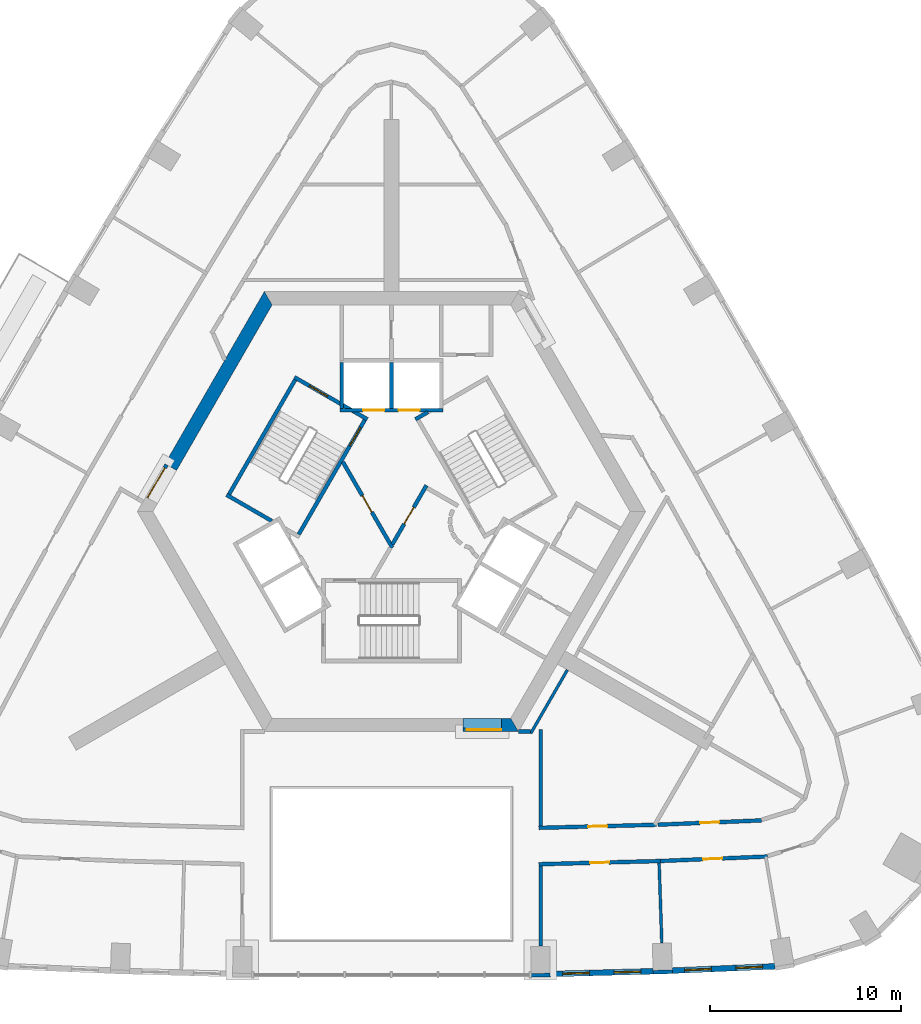
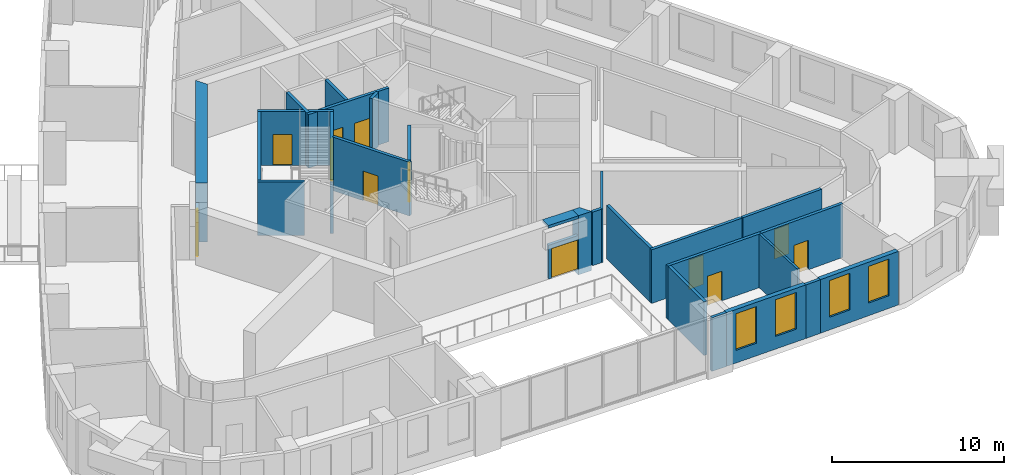
# One storey, part 5 of 13: 28 walls, 12 doors, 4 windows, 16 openings.
"""IFC4 building model written with IfcOpenShell, lengths in metres."""

from ifc_helpers import new_model, si_unit, direction, frame, frame_2d, origin, place, context, subcontext, project, spatial, polyline, rectangle, outline, extrude, material, layer, layer_set, type_object, element, fill, save


model = new_model("IFC4")

# Units and contexts
model_context = context("Model", 3, precision=1e-05, world=origin(), true_north=direction((0.0, 1.0)))
body_context = subcontext(model_context, "Body", "Model", "MODEL_VIEW")
ifc_project = project(units=[si_unit("LENGTHUNIT", "METRE"), si_unit("AREAUNIT", "SQUARE_METRE"), si_unit("VOLUMEUNIT", "CUBIC_METRE"), si_unit("PLANEANGLEUNIT", "RADIAN"), si_unit("MASSUNIT", "GRAM", prefix="KILO")], contexts=[model_context])

# Site, building, storey
site_placement = place(None, origin())
site = spatial("IfcSite", under=ifc_project, at=site_placement, CompositionType="ELEMENT")
building_placement = place(site_placement, origin())
building = spatial("IfcBuilding", under=site, at=building_placement, Name="Entoto Arch Interchange Tower", CompositionType="ELEMENT")
storey_placement = place(building_placement, frame((0.0, 0.0, 198.199951171875)))
storey = spatial("IfcBuildingStorey", under=building, at=storey_placement, Name="L44", CompositionType="ELEMENT", Elevation=198.199951171875)

# Wall, opening, door
ifc_material_1 = material(Name="Reinforced concrete C40/50", Category="concrete")
ifc_layer_1 = layer(ifc_material_1, 0.199951171875)
ifc_layer_set_1 = layer_set([ifc_layer_1], Name="Reinforced concrete C40/50")
wall_type_1 = type_object("IfcWallType", Name="CORE GAP INFILL WALL", PredefinedType="PARTITIONING", material=ifc_layer_set_1)
wall_1_placement = place(storey_placement, frame((3.75, -8.89990234375, 0.0), z_axis=(0.0, 0.0, 1.0), x_axis=(1.0, 0.0, 0.0)))
wall_1 = element("IfcWall", 1, at=wall_1_placement, inside=storey, type_object=wall_type_1, Name="wall:L44:gap1", PredefinedType="PARTITIONING", context=body_context, shape_type="SweptSolid", body=[
    extrude(rectangle(XDim=2.0, YDim=0.199951171875, at=frame_2d((1.0, 0.0))), origin(), (0.0, 0.0, 1.0), 2.400146484375),
])
opening_1_placement = place(wall_1_placement, frame((0.18994140625, 0.0, 0.0)))
opening_1 = element("IfcOpeningElement", 2, at=opening_1_placement, cuts=wall_1, Name="Opening L44-D91", PredefinedType="OPENING", context=body_context, shape_type="SweptSolid", body=[
    extrude(rectangle(XDim=1.800048828125, YDim=2.10009765625, at=frame_2d((0.89990234375, 1.050048828125))), frame((0.0, 0.10986328125, 0.0), z_axis=(0.0, -1.0, 0.0), x_axis=(1.0, 0.0, 0.0)), (0.0, 0.0, 1.0), 0.219970703125),
])
ifc_material_2 = material(Name="Fire-rated Steel S235 door and frame", Category="steel")
door_type_1 = type_object("IfcDoorType", Name="DOOR FD-18 1800x2100", OperationType="DOUBLE_DOOR_SINGLE_SWING", PredefinedType="DOOR", material=ifc_material_2)
door_1_placement = place(opening_1_placement, origin())
door_1 = element("IfcDoor", 3, at=door_1_placement, inside=storey, type_object=door_type_1, Name="door:L44:gap1", OperationType="DOUBLE_DOOR_SINGLE_SWING", OverallHeight=2.10009765625, OverallWidth=1.800048828125, PredefinedType="DOOR", context=body_context, shape_type="SweptSolid", body=[
    extrude(rectangle(XDim=1.800048828125, YDim=2.10009765625, at=frame_2d((0.89990234375, 1.050048828125))), frame((0.0, 0.02490234375, 0.0), z_axis=(0.0, -1.0, 0.0), x_axis=(1.0, 0.0, 0.0)), (0.0, 0.0, 1.0), 0.050048828125),
])
fill(opening_1, door_1)

wall_2_placement = place(storey_placement, frame((-11.7470703125, 4.951904296875, 0.0), z_axis=(0.0, 0.0, 1.0), x_axis=(-0.50002537861, -0.866010750942, 0.0)))
wall_2 = element("IfcWall", 4, at=wall_2_placement, inside=storey, type_object=wall_type_1, Name="wall:L44:gap3", PredefinedType="PARTITIONING", context=body_context, shape_type="SweptSolid", body=[
    extrude(rectangle(XDim=2.0, YDim=0.199951171875, at=frame_2d((1.0, 0.0))), origin(), (0.0, 0.0, 1.0), 2.400146484375),
])
opening_2_placement = place(wall_2_placement, frame((0.18994140625, 0.0, 0.0)))
opening_2 = element("IfcOpeningElement", 5, at=opening_2_placement, cuts=wall_2, Name="Opening L44-D93", PredefinedType="OPENING", context=body_context, shape_type="SweptSolid", body=[
    extrude(rectangle(XDim=1.800048828125, YDim=2.10009765625, at=frame_2d((0.89990234375, 1.050048828125))), frame((0.0, 0.10986328125, 0.0), z_axis=(0.0, -1.0, 0.0), x_axis=(1.0, 0.0, 0.0)), (0.0, 0.0, 1.0), 0.219970703125),
])
door_2_placement = place(opening_2_placement, origin())
door_2 = element("IfcDoor", 6, at=door_2_placement, inside=storey, type_object=door_type_1, Name="door:L44:gap3", OperationType="DOUBLE_DOOR_SINGLE_SWING", OverallHeight=2.10009765625, OverallWidth=1.800048828125, PredefinedType="DOOR", context=body_context, shape_type="SweptSolid", body=[
    extrude(rectangle(XDim=1.800048828125, YDim=2.10009765625, at=frame_2d((0.89990234375, 1.050048828125))), frame((0.0, 0.02490234375, 0.0), z_axis=(0.0, -1.0, 0.0), x_axis=(1.0, 0.0, 0.0)), (0.0, 0.0, 1.0), 0.050048828125),
])
fill(opening_2, door_2)

# Walls
ifc_material_3 = material(Name="Concrete C50/60", Category="concrete")
ifc_layer_2 = layer(ifc_material_3, 0.699951171875)
ifc_layer_set_2 = layer_set([ifc_layer_2], Name="Concrete C50/60")
wall_type_2 = type_object("IfcWallType", Name="Core wall 700 C50/60", PredefinedType="SHEAR", material=ifc_layer_set_2)
wall_3_placement = place(storey_placement, frame((0.0, 0.0, -0.39990234375)))
element("IfcWall", 7, at=wall_3_placement, inside=storey, type_object=wall_type_2, Name="Core wall NW L44", PredefinedType="SHEAR", context=body_context, shape_type="SweptSolid", body=[
    extrude(outline(polyline([(-11.833984375, 5.001953125), (-11.22802734375, 4.652099609375), (-6.235107421875, 13.300048828125), (-6.639892578125, 14.0), (-11.833984375, 5.001953125)])), origin(), (0.0, 0.0, 1.0), 4.199951171875),
])
wall_4_placement = place(storey_placement, frame((0.0, 0.0, -0.39990234375)))
element("IfcWall", 8, at=wall_4_placement, inside=storey, type_object=wall_type_2, Name="Core wall S L44", PredefinedType="SHEAR", context=body_context, shape_type="SweptSolid", body=[
    extrude(outline(polyline([(5.75, -8.300048828125), (5.75, -9.0), (6.639892578125, -9.0), (6.235107421875, -8.300048828125), (5.75, -8.300048828125)])), origin(), (0.0, 0.0, 1.0), 4.199951171875),
])
wall_5_placement = place(storey_placement, frame((0.0, 0.0, 3.60009765625)))
element("IfcWall", 9, at=wall_5_placement, inside=storey, type_object=wall_type_2, Name="Core wall lintel S L44", PredefinedType="SHEAR", context=body_context, shape_type="SweptSolid", body=[
    extrude(outline(polyline([(5.75, -9.0), (5.75, -8.300048828125), (3.75, -8.300048828125), (3.75, -9.0), (5.75, -9.0)])), origin(), (0.0, 0.0, 1.0), 0.199951171875),
])

# Wall, openings, doors
ifc_material_4 = material(Name="Concrete C40/50", Category="concrete")
ifc_layer_3 = layer(ifc_material_4, 0.199951171875)
ifc_layer_set_3 = layer_set([ifc_layer_3], Name="Concrete C40/50")
wall_type_3 = type_object("IfcWallType", Name="LIFT SHAFT WALL 200", PredefinedType="STANDARD", material=ifc_layer_set_3)
wall_6_placement = place(storey_placement, frame((2.699951171875, 7.800048828125, 0.0), z_axis=(0.0, 0.0, 1.0), x_axis=(-1.0, 0.0, 0.0)))
wall_6 = element("IfcWall", 10, at=wall_6_placement, inside=storey, type_object=wall_type_3, Name="Shaft wall N1 front", PredefinedType="STANDARD", context=body_context, shape_type="SweptSolid", body=[
    extrude(rectangle(XDim=5.39990234375, YDim=0.199951171875, at=frame_2d((2.699951171875, 0.0))), origin(), (0.0, 0.0, 1.0), 3.800048828125),
])
opening_3_placement = place(wall_6_placement, frame((1.22509765625, 0.0, 0.0)))
opening_3 = element("IfcOpeningElement", 11, at=opening_3_placement, cuts=wall_6, Name="Opening LD-HR1-L44", PredefinedType="OPENING", context=body_context, shape_type="SweptSolid", body=[
    extrude(rectangle(XDim=1.10009765625, YDim=2.10009765625, at=frame_2d((0.550048828125, 1.050048828125))), frame((0.0, 0.10986328125, 0.0), z_axis=(0.0, -1.0, 0.0), x_axis=(1.0, 0.0, 0.0)), (0.0, 0.0, 1.0), 0.219970703125),
])
opening_4_placement = place(wall_6_placement, frame((3.074951171875, 0.0, 0.0)))
opening_4 = element("IfcOpeningElement", 12, at=opening_4_placement, cuts=wall_6, Name="Opening LD-HR2-L44", PredefinedType="OPENING", context=body_context, shape_type="SweptSolid", body=[
    extrude(rectangle(XDim=1.10009765625, YDim=2.10009765625, at=frame_2d((0.550048828125, 1.050048828125))), frame((0.0, 0.10986328125, 0.0), z_axis=(0.0, -1.0, 0.0), x_axis=(1.0, 0.0, 0.0)), (0.0, 0.0, 1.0), 0.219970703125),
])
ifc_material_5 = material(Name="Stainless steel 1.4301 panels", Category="steel")
door_type_2 = type_object("IfcDoorType", Name="LIFT LANDING DOOR LD1 1100x2100", OperationType="SLIDING_TO_LEFT", PredefinedType="DOOR", material=ifc_material_5)
door_3_placement = place(opening_3_placement, origin())
door_3 = element("IfcDoor", 13, at=door_3_placement, inside=storey, type_object=door_type_2, Name="Lift landing door HR1 L44", OperationType="SLIDING_TO_LEFT", OverallHeight=2.10009765625, OverallWidth=1.10009765625, PredefinedType="DOOR", context=body_context, shape_type="SweptSolid", body=[
    extrude(rectangle(XDim=1.10009765625, YDim=2.10009765625, at=frame_2d((0.550048828125, 1.050048828125))), frame((0.0, 0.02490234375, 0.0), z_axis=(0.0, -1.0, 0.0), x_axis=(1.0, 0.0, 0.0)), (0.0, 0.0, 1.0), 0.050048828125),
])
fill(opening_3, door_3)
door_4_placement = place(opening_4_placement, origin())
door_4 = element("IfcDoor", 14, at=door_4_placement, inside=storey, type_object=door_type_2, Name="Lift landing door HR2 L44", OperationType="SLIDING_TO_LEFT", OverallHeight=2.10009765625, OverallWidth=1.10009765625, PredefinedType="DOOR", context=body_context, shape_type="SweptSolid", body=[
    extrude(rectangle(XDim=1.10009765625, YDim=2.10009765625, at=frame_2d((0.550048828125, 1.050048828125))), frame((0.0, 0.02490234375, 0.0), z_axis=(0.0, -1.0, 0.0), x_axis=(1.0, 0.0, 0.0)), (0.0, 0.0, 1.0), 0.050048828125),
])
fill(opening_4, door_4)

# Walls
for number, where, z_axis, x_axis, name in (
    (15, (0.0, 7.89990234375, 0.0), (0.0, 0.0, 1.0), (0.0, 1.0, 0.0), "Shaft wall N1 cross 2"),
    (16, (-2.60009765625, 7.89990234375, 0.0), (0.0, 0.0, 1.0), (0.0, 1.0, 0.0), "Shaft wall N1 cross 3"),
):
    element("IfcWall", number, at=place(storey_placement, frame(where, z_axis=z_axis, x_axis=x_axis)), inside=storey, type_object=wall_type_3, Name=name, PredefinedType="STANDARD", context=body_context, shape_type="SweptSolid", body=[
        extrude(rectangle(XDim=2.400146484375, YDim=0.199951171875, at=frame_2d((1.2001953125, 0.0))), origin(), (0.0, 0.0, 1.0), 3.800048828125),
    ])
ifc_material_6 = material(Name="Gypsum board partition on steel studs", Category="steel")
ifc_layer_4 = layer(ifc_material_6, 0.14990234375)
ifc_layer_set_4 = layer_set([ifc_layer_4], Name="Gypsum board partition on steel studs")
wall_type_4 = type_object("IfcWallType", Name="PARTITION 150", PredefinedType="PARTITIONING", material=ifc_layer_set_4)
wall_7_placement = place(storey_placement, frame((7.282958984375, -9.0859375, 0.0), z_axis=(0.0, 0.0, 1.0), x_axis=(0.499843936326, 0.866115488442, 0.0)))
element("IfcWall", 17, at=wall_7_placement, inside=storey, type_object=wall_type_4, Name="wall:L44:p080", PredefinedType="PARTITIONING", context=body_context, shape_type="SweptSolid", body=[
    extrude(rectangle(XDim=3.827392578125, YDim=0.14990234375, at=frame_2d((1.91357421875, 0.0))), origin(), (0.0, 0.0, 1.0), 3.800048828125),
])
wall_8_placement = place(storey_placement, frame((13.988037109375, -15.862060546875, 0.0), z_axis=(0.0, 0.0, 1.0), x_axis=(0.033931247732, -0.999424169423, 0.0)))
element("IfcWall", 18, at=wall_8_placement, inside=storey, type_object=wall_type_4, Name="wall:L44:p108", PredefinedType="PARTITIONING", context=body_context, shape_type="SweptSolid", body=[
    extrude(rectangle(XDim=4.180419921875, YDim=0.14990234375, at=frame_2d((2.09033203125, 0.0))), origin(), (0.0, 0.0, 1.0), 3.800048828125),
])

# Wall, opening, door
ifc_layer_5 = layer(ifc_material_6, 0.199951171875)
ifc_layer_set_5 = layer_set([ifc_layer_5], Name="Gypsum board partition on steel studs")
wall_type_5 = type_object("IfcWallType", Name="PARTITION 200", PredefinedType="PARTITIONING", material=ifc_layer_set_5)
wall_9_placement = place(storey_placement, frame((7.699951171875, -14.027099609375, 0.0), z_axis=(0.0, 0.0, 1.0), x_axis=(0.999653919353, 0.026306682088, 0.0)))
wall_9 = element("IfcWall", 19, at=wall_9_placement, inside=storey, type_object=wall_type_5, Name="wall:L44:p017", PredefinedType="PARTITIONING", context=body_context, shape_type="SweptSolid", body=[
    extrude(rectangle(XDim=6.162353515625, YDim=0.199951171875, at=frame_2d((3.0810546875, 0.0))), origin(), (0.0, 0.0, 1.0), 3.800048828125),
])
opening_5_placement = place(wall_9_placement, frame((2.5810546875, 0.0, 0.0)))
opening_5 = element("IfcOpeningElement", 20, at=opening_5_placement, cuts=wall_9, Name="Opening L44-D17", PredefinedType="OPENING", context=body_context, shape_type="SweptSolid", body=[
    extrude(rectangle(XDim=1.0, YDim=2.10009765625, at=frame_2d((0.5, 1.050048828125))), frame((0.0, 0.10986328125, 0.0), z_axis=(0.0, -1.0, 0.0), x_axis=(1.0, 0.0, 0.0)), (0.0, 0.0, 1.0), 0.219970703125),
])
ifc_material_7 = material(Name="Timber door leaf in Steel S235 frame", Category="steel")
door_type_3 = type_object("IfcDoorType", Name="DOOR DS-10 1000x2100", OperationType="SINGLE_SWING_LEFT", PredefinedType="DOOR", material=ifc_material_7)
door_5_placement = place(opening_5_placement, origin())
door_5 = element("IfcDoor", 21, at=door_5_placement, inside=storey, type_object=door_type_3, Name="door:L44:17", OperationType="SINGLE_SWING_LEFT", OverallHeight=2.10009765625, OverallWidth=1.0, PredefinedType="DOOR", context=body_context, shape_type="SweptSolid", body=[
    extrude(rectangle(XDim=1.0, YDim=2.10009765625, at=frame_2d((0.5, 1.050048828125))), frame((0.0, 0.02490234375, 0.0), z_axis=(0.0, -1.0, 0.0), x_axis=(1.0, 0.0, 0.0)), (0.0, 0.0, 1.0), 0.050048828125),
])
fill(opening_5, door_5)

wall_10_placement = place(storey_placement, frame((13.9189453125, -13.863037109375, 0.0), z_axis=(0.0, 0.0, 1.0), x_axis=(0.999130261307, 0.041697972867, 0.0)))
wall_10 = element("IfcWall", 22, at=wall_10_placement, inside=storey, type_object=wall_type_5, Name="wall:L44:p020", PredefinedType="PARTITIONING", context=body_context, shape_type="SweptSolid", body=[
    extrude(rectangle(XDim=5.421630859375, YDim=0.199951171875, at=frame_2d((2.7109375, 0.0))), origin(), (0.0, 0.0, 1.0), 3.800048828125),
])
opening_6_placement = place(wall_10_placement, frame((2.2109375, 0.0, 0.0)))
opening_6 = element("IfcOpeningElement", 23, at=opening_6_placement, cuts=wall_10, Name="Opening L44-D19", PredefinedType="OPENING", context=body_context, shape_type="SweptSolid", body=[
    extrude(rectangle(XDim=1.0, YDim=2.10009765625, at=frame_2d((0.5, 1.050048828125))), frame((0.0, 0.10986328125, 0.0), z_axis=(0.0, -1.0, 0.0), x_axis=(1.0, 0.0, 0.0)), (0.0, 0.0, 1.0), 0.219970703125),
])
door_6_placement = place(opening_6_placement, origin())
door_6 = element("IfcDoor", 24, at=door_6_placement, inside=storey, type_object=door_type_3, Name="door:L44:19", OperationType="SINGLE_SWING_LEFT", OverallHeight=2.10009765625, OverallWidth=1.0, PredefinedType="DOOR", context=body_context, shape_type="SweptSolid", body=[
    extrude(rectangle(XDim=1.0, YDim=2.10009765625, at=frame_2d((0.5, 1.050048828125))), frame((0.0, 0.02490234375, 0.0), z_axis=(0.0, -1.0, 0.0), x_axis=(1.0, 0.0, 0.0)), (0.0, 0.0, 1.0), 0.050048828125),
])
fill(opening_6, door_6)

wall_11_placement = place(storey_placement, frame((14.05908203125, -15.760009765625, 0.0), z_axis=(0.0, 0.0, 1.0), x_axis=(-0.999651338269, -0.026404580978, 0.0)))
wall_11 = element("IfcWall", 25, at=wall_11_placement, inside=storey, type_object=wall_type_5, Name="wall:L44:p035", PredefinedType="PARTITIONING", context=body_context, shape_type="SweptSolid", body=[
    extrude(rectangle(XDim=6.361328125, YDim=0.199951171875, at=frame_2d((3.1806640625, 0.0))), origin(), (0.0, 0.0, 1.0), 3.800048828125),
])
opening_7_placement = place(wall_11_placement, frame((2.680908203125, 0.0, 0.0)))
opening_7 = element("IfcOpeningElement", 26, at=opening_7_placement, cuts=wall_11, Name="Opening L44-D01", PredefinedType="OPENING", context=body_context, shape_type="SweptSolid", body=[
    extrude(rectangle(XDim=1.0, YDim=2.10009765625, at=frame_2d((0.5, 1.050048828125))), frame((0.0, 0.10986328125, 0.0), z_axis=(0.0, -1.0, 0.0), x_axis=(1.0, 0.0, 0.0)), (0.0, 0.0, 1.0), 0.219970703125),
])
door_7_placement = place(opening_7_placement, origin())
door_7 = element("IfcDoor", 27, at=door_7_placement, inside=storey, type_object=door_type_3, Name="door:L44:01", OperationType="SINGLE_SWING_LEFT", OverallHeight=2.10009765625, OverallWidth=1.0, PredefinedType="DOOR", context=body_context, shape_type="SweptSolid", body=[
    extrude(rectangle(XDim=1.0, YDim=2.10009765625, at=frame_2d((0.5, 1.050048828125))), frame((0.0, 0.02490234375, 0.0), z_axis=(0.0, -1.0, 0.0), x_axis=(1.0, 0.0, 0.0)), (0.0, 0.0, 1.0), 0.050048828125),
])
fill(opening_7, door_7)

wall_12_placement = place(storey_placement, frame((19.660888671875, -15.52490234375, 0.0), z_axis=(0.0, 0.0, 1.0), x_axis=(-0.999127706659, -0.041759140148, 0.0)))
wall_12 = element("IfcWall", 28, at=wall_12_placement, inside=storey, type_object=wall_type_5, Name="wall:L44:p036", PredefinedType="PARTITIONING", context=body_context, shape_type="SweptSolid", body=[
    extrude(rectangle(XDim=5.606689453125, YDim=0.199951171875, at=frame_2d((2.80322265625, 0.0))), origin(), (0.0, 0.0, 1.0), 3.800048828125),
])
opening_8_placement = place(wall_12_placement, frame((2.3779296875, 0.0, 0.0)))
opening_8 = element("IfcOpeningElement", 29, at=opening_8_placement, cuts=wall_12, Name="Opening L44-D02", PredefinedType="OPENING", context=body_context, shape_type="SweptSolid", body=[
    extrude(rectangle(XDim=1.0, YDim=2.10009765625, at=frame_2d((0.5, 1.050048828125))), frame((0.0, 0.10986328125, 0.0), z_axis=(0.0, -1.0, 0.0), x_axis=(1.0, 0.0, 0.0)), (0.0, 0.0, 1.0), 0.219970703125),
])
door_8_placement = place(opening_8_placement, origin())
door_8 = element("IfcDoor", 30, at=door_8_placement, inside=storey, type_object=door_type_3, Name="door:L44:02", OperationType="SINGLE_SWING_LEFT", OverallHeight=2.10009765625, OverallWidth=1.0, PredefinedType="DOOR", context=body_context, shape_type="SweptSolid", body=[
    extrude(rectangle(XDim=1.0, YDim=2.10009765625, at=frame_2d((0.5, 1.050048828125))), frame((0.0, 0.02490234375, 0.0), z_axis=(0.0, -1.0, 0.0), x_axis=(1.0, 0.0, 0.0)), (0.0, 0.0, 1.0), 0.050048828125),
])
fill(opening_8, door_8)

# Wall
wall_13_placement = place(storey_placement, frame((6.64111328125, -8.9990234375, 0.0), z_axis=(0.0, 0.0, 1.0), x_axis=(1.0, 0.0, 0.0)))
element("IfcWall", 31, at=wall_13_placement, inside=storey, type_object=wall_type_5, Name="wall:L44:p079", PredefinedType="PARTITIONING", context=body_context, shape_type="SweptSolid", body=[
    extrude(rectangle(XDim=0.616943359375, YDim=0.199951171875, at=frame_2d((0.30859375, 0.0))), origin(), (0.0, 0.0, 1.0), 3.800048828125),
])

# Wall, opening, door
wall_14_placement = place(storey_placement, frame((0.050048828125, 0.787109375, 0.0), z_axis=(0.0, 0.0, 1.0), x_axis=(0.499954076797, 0.866051915934, 0.0)))
wall_14 = element("IfcWall", 32, at=wall_14_placement, inside=storey, type_object=wall_type_5, Name="wall:L44:p083", PredefinedType="PARTITIONING", context=body_context, shape_type="SweptSolid", body=[
    extrude(rectangle(XDim=3.558349609375, YDim=0.199951171875, at=frame_2d((1.779296875, 0.0))), origin(), (0.0, 0.0, 1.0), 3.800048828125),
])
opening_9_placement = place(wall_14_placement, frame((1.22900390625, 0.0, 0.0)))
opening_9 = element("IfcOpeningElement", 33, at=opening_9_placement, cuts=wall_14, Name="Opening L44-D28", PredefinedType="OPENING", context=body_context, shape_type="SweptSolid", body=[
    extrude(rectangle(XDim=1.0, YDim=2.10009765625, at=frame_2d((0.5, 1.050048828125))), frame((0.0, 0.10986328125, 0.0), z_axis=(0.0, -1.0, 0.0), x_axis=(1.0, 0.0, 0.0)), (0.0, 0.0, 1.0), 0.219970703125),
])
door_type_4 = type_object("IfcDoorType", Name="DOOR FD-10 1000x2100", OperationType="SINGLE_SWING_LEFT", PredefinedType="DOOR", material=ifc_material_2)
door_9_placement = place(opening_9_placement, origin())
door_9 = element("IfcDoor", 34, at=door_9_placement, inside=storey, type_object=door_type_4, Name="door:L44:28", OperationType="SINGLE_SWING_RIGHT", OverallHeight=2.10009765625, OverallWidth=1.0, PredefinedType="DOOR", context=body_context, shape_type="SweptSolid", body=[
    extrude(rectangle(XDim=1.0, YDim=2.10009765625, at=frame_2d((0.5, 1.050048828125))), frame((0.0, 0.02490234375, 0.0), z_axis=(0.0, -1.0, 0.0), x_axis=(1.0, 0.0, 0.0)), (0.0, 0.0, 1.0), 0.050048828125),
])
fill(opening_9, door_9)

wall_15_placement = place(storey_placement, frame((-2.5400390625, 5.10009765625, 0.0), z_axis=(0.0, 0.0, 1.0), x_axis=(0.499925051871, -0.866068670783, 0.0)))
wall_15 = element("IfcWall", 35, at=wall_15_placement, inside=storey, type_object=wall_type_5, Name="wall:L44:p093", PredefinedType="PARTITIONING", context=body_context, shape_type="SweptSolid", body=[
    extrude(rectangle(XDim=5.180908203125, YDim=0.199951171875, at=frame_2d((2.59033203125, 0.0))), origin(), (0.0, 0.0, 1.0), 3.800048828125),
])
opening_10_placement = place(wall_15_placement, frame((2.0400390625, 0.0, 0.0)))
opening_10 = element("IfcOpeningElement", 36, at=opening_10_placement, cuts=wall_15, Name="Opening L44-D29", PredefinedType="OPENING", context=body_context, shape_type="SweptSolid", body=[
    extrude(rectangle(XDim=1.0, YDim=2.10009765625, at=frame_2d((0.5, 1.050048828125))), frame((0.0, 0.10986328125, 0.0), z_axis=(0.0, -1.0, 0.0), x_axis=(1.0, 0.0, 0.0)), (0.0, 0.0, 1.0), 0.219970703125),
])
door_10_placement = place(opening_10_placement, origin())
door_10 = element("IfcDoor", 37, at=door_10_placement, inside=storey, type_object=door_type_4, Name="door:L44:29", OperationType="SINGLE_SWING_RIGHT", OverallHeight=2.10009765625, OverallWidth=1.0, PredefinedType="DOOR", context=body_context, shape_type="SweptSolid", body=[
    extrude(rectangle(XDim=1.0, YDim=2.10009765625, at=frame_2d((0.5, 1.050048828125))), frame((0.0, 0.02490234375, 0.0), z_axis=(0.0, -1.0, 0.0), x_axis=(1.0, 0.0, 0.0)), (0.0, 0.0, 1.0), 0.050048828125),
])
fill(opening_10, door_10)

# Walls
wall_16_placement = place(storey_placement, frame((7.800048828125, -8.89892578125, 0.0), z_axis=(0.0, 0.0, 1.0), x_axis=(0.0, -1.0, 0.0)))
element("IfcWall", 38, at=wall_16_placement, inside=storey, type_object=wall_type_5, Name="wall:L44:p094", PredefinedType="PARTITIONING", context=body_context, shape_type="SweptSolid", body=[
    extrude(rectangle(XDim=5.025146484375, YDim=0.199951171875, at=frame_2d((2.5126953125, 0.0))), origin(), (0.0, 0.0, 1.0), 3.800048828125),
])
wall_17_placement = place(storey_placement, frame((7.800048828125, -16.02490234375, 0.0), z_axis=(0.0, 0.0, 1.0), x_axis=(0.0, -1.0, 0.0)))
element("IfcWall", 39, at=wall_17_placement, inside=storey, type_object=wall_type_5, Name="wall:L44:p097", PredefinedType="PARTITIONING", context=body_context, shape_type="SweptSolid", body=[
    extrude(rectangle(XDim=4.18212890625, YDim=0.199951171875, at=frame_2d((2.091064453125, 0.0))), origin(), (0.0, 0.0, 1.0), 3.800048828125),
])
ifc_layer_6 = layer(ifc_material_4, 0.199951171875)
ifc_layer_set_6 = layer_set([ifc_layer_6], Name="Concrete C40/50")
wall_type_6 = type_object("IfcWallType", Name="STAIR ENCLOSURE WALL 200", PredefinedType="STANDARD", material=ifc_layer_set_6)
wall_18_placement = place(storey_placement, frame((1.256103515625, 7.323974609375, 0.0), z_axis=(0.0, 0.0, 1.0), x_axis=(0.865915093549, 0.500191014278, 0.0)))
element("IfcWall", 40, at=wall_18_placement, inside=storey, type_object=wall_type_6, Name="Stair wall ST-NE far return", PredefinedType="STANDARD", context=body_context, shape_type="SweptSolid", body=[
    extrude(rectangle(XDim=0.751708984375, YDim=0.199951171875, at=frame_2d((0.3759765625, 0.0))), origin(), (0.0, 0.0, 1.0), 3.800048828125),
])

# Wall, opening, door
wall_19_placement = place(storey_placement, frame((-1.256103515625, 7.323974609375, 0.0), z_axis=(0.0, 0.0, 1.0), x_axis=(-0.866046073146, 0.499964197906, 0.0)))
wall_19 = element("IfcWall", 41, at=wall_19_placement, inside=storey, type_object=wall_type_6, Name="Stair wall ST-NW near", PredefinedType="STANDARD", context=body_context, shape_type="SweptSolid", body=[
    extrude(rectangle(XDim=4.400146484375, YDim=0.199951171875, at=frame_2d((2.2001953125, 0.0))), origin(), (0.0, 0.0, 1.0), 3.800048828125),
])
opening_11_placement = place(wall_19_placement, frame((2.39990234375, 0.0, 0.0)))
opening_11 = element("IfcOpeningElement", 42, at=opening_11_placement, cuts=wall_19, Name="Opening SD-ST-NW-L44-E", PredefinedType="OPENING", context=body_context, shape_type="SweptSolid", body=[
    extrude(rectangle(XDim=1.10009765625, YDim=2.199951171875, at=frame_2d((0.550048828125, 1.10009765625))), frame((0.0, 0.10986328125, 0.0), z_axis=(0.0, -1.0, 0.0), x_axis=(1.0, 0.0, 0.0)), (0.0, 0.0, 1.0), 0.219970703125),
])
ifc_material_8 = material(Name="Steel S235", Category="steel")
door_type_5 = type_object("IfcDoorType", Name="STAIR DOOR SD1 1100x2200", OperationType="SINGLE_SWING_LEFT", PredefinedType="DOOR", material=ifc_material_8)
door_11_placement = place(opening_11_placement, origin())
door_11 = element("IfcDoor", 43, at=door_11_placement, inside=storey, type_object=door_type_5, Name="Stair door ST-NW L44 end", OperationType="SINGLE_SWING_LEFT", OverallHeight=2.199951171875, OverallWidth=1.10009765625, PredefinedType="DOOR", context=body_context, shape_type="SweptSolid", body=[
    extrude(rectangle(XDim=1.10009765625, YDim=2.199951171875, at=frame_2d((0.550048828125, 1.10009765625))), frame((0.0, 0.02490234375, 0.0), z_axis=(0.0, -1.0, 0.0), x_axis=(1.0, 0.0, 0.0)), (0.0, 0.0, 1.0), 0.050048828125),
])
fill(opening_11, door_11)

# Wall
wall_20_placement = place(storey_placement, frame((-6.25, 2.010009765625, 0.0), z_axis=(0.0, 0.0, 1.0), x_axis=(-0.86611865017, 0.499838457731, 0.0)))
element("IfcWall", 44, at=wall_20_placement, inside=storey, type_object=wall_type_6, Name="Stair wall ST-NW far", PredefinedType="STANDARD", context=body_context, shape_type="SweptSolid", body=[
    extrude(rectangle(XDim=2.73291015625, YDim=0.199951171875, at=frame_2d((1.366455078125, 0.0))), origin(), (0.0, 0.0, 1.0), 3.800048828125),
])

# Wall, opening, door
wall_21_placement = place(storey_placement, frame((-1.39306640625, 7.2880859375, 0.0), z_axis=(0.0, 0.0, 1.0), x_axis=(-0.499963383562, -0.866046543262, 0.0)))
wall_21 = element("IfcWall", 45, at=wall_21_placement, inside=storey, type_object=wall_type_6, Name="Stair wall ST-NW hall", PredefinedType="STANDARD", context=body_context, shape_type="SweptSolid", body=[
    extrude(rectangle(XDim=6.900390625, YDim=0.199951171875, at=frame_2d((3.4501953125, 0.0))), origin(), (0.0, 0.0, 1.0), 3.800048828125),
])
opening_12_placement = place(wall_21_placement, frame((0.449951171875, 0.0, 0.0)))
opening_12 = element("IfcOpeningElement", 46, at=opening_12_placement, cuts=wall_21, Name="Opening SD-ST-NW-L44", PredefinedType="OPENING", context=body_context, shape_type="SweptSolid", body=[
    extrude(rectangle(XDim=1.10009765625, YDim=2.199951171875, at=frame_2d((0.550048828125, 1.10009765625))), frame((0.0, 0.10986328125, 0.0), z_axis=(0.0, -1.0, 0.0), x_axis=(1.0, 0.0, 0.0)), (0.0, 0.0, 1.0), 0.219970703125),
])
door_12_placement = place(opening_12_placement, origin())
door_12 = element("IfcDoor", 47, at=door_12_placement, inside=storey, type_object=door_type_5, Name="Stair door ST-NW L44", OperationType="SINGLE_SWING_LEFT", OverallHeight=2.199951171875, OverallWidth=1.10009765625, PredefinedType="DOOR", context=body_context, shape_type="SweptSolid", body=[
    extrude(rectangle(XDim=1.10009765625, YDim=2.199951171875, at=frame_2d((0.550048828125, 1.10009765625))), frame((0.0, 0.02490234375, 0.0), z_axis=(0.0, -1.0, 0.0), x_axis=(1.0, 0.0, 0.0)), (0.0, 0.0, 1.0), 0.050048828125),
])
fill(opening_12, door_12)

# Wall
wall_22_placement = place(storey_placement, frame((-5.030029296875, 9.387939453125, 0.0), z_axis=(0.0, 0.0, 1.0), x_axis=(-0.499978703459, -0.866037698999, 0.0)))
element("IfcWall", 48, at=wall_22_placement, inside=storey, type_object=wall_type_6, Name="Stair wall ST-NW back", PredefinedType="STANDARD", context=body_context, shape_type="SweptSolid", body=[
    extrude(rectangle(XDim=6.900146484375, YDim=0.199951171875, at=frame_2d((3.4501953125, 0.0))), origin(), (0.0, 0.0, 1.0), 3.800048828125),
])

# Wall, openings, windows
ifc_material_9 = material(Name="Welded tuff (ignimbrite) cladding, warm buff", Category="masonry")
ifc_layer_7 = layer(ifc_material_9, 0.300048828125)
ifc_layer_set_7 = layer_set([ifc_layer_7], Name="Welded tuff (ignimbrite) cladding, warm buff")
wall_type_7 = type_object("IfcWallType", Name="STONE INFILL WALL 300", PredefinedType="STANDARD", material=ifc_layer_set_7)
wall_23_placement = place(storey_placement, frame((8.297119140625, -21.6640625, 0.0), z_axis=(0.0, 0.0, 1.0), x_axis=(0.999651908676, 0.026382977093, 0.0)))
wall_23 = element("IfcWall", 49, at=wall_23_placement, inside=storey, type_object=wall_type_7, Name="Facade wall S-04 L44", PredefinedType="STANDARD", context=body_context, shape_type="SweptSolid", body=[
    extrude(rectangle(XDim=5.3857421875, YDim=0.300048828125, at=frame_2d((2.69287109375, 0.0))), origin(), (0.0, 0.0, 1.0), 3.800048828125),
])
opening_13_placement = place(wall_23_placement, frame((0.64599609375, 0.0, 0.89990234375)))
opening_13 = element("IfcOpeningElement", 50, at=opening_13_placement, cuts=wall_23, Name="Opening WO-B", PredefinedType="OPENING", context=body_context, shape_type="SweptSolid", body=[
    extrude(rectangle(XDim=1.39990234375, YDim=2.60009765625, at=frame_2d((0.699951171875, 1.300048828125))), frame((0.0, 0.16015625, 0.0), z_axis=(0.0, -1.0, 0.0), x_axis=(1.0, 0.0, 0.0)), (0.0, 0.0, 1.0), 0.320068359375),
])
opening_14_placement = place(wall_23_placement, frame((3.339111328125, 0.0, 0.89990234375)))
opening_14 = element("IfcOpeningElement", 51, at=opening_14_placement, cuts=wall_23, Name="Opening WO-B", PredefinedType="OPENING", context=body_context, shape_type="SweptSolid", body=[
    extrude(rectangle(XDim=1.39990234375, YDim=2.60009765625, at=frame_2d((0.699951171875, 1.300048828125))), frame((0.0, 0.16015625, 0.0), z_axis=(0.0, -1.0, 0.0), x_axis=(1.0, 0.0, 0.0)), (0.0, 0.0, 1.0), 0.320068359375),
])
ifc_material_10 = material(Name="Clear glass, low-e double glazed", Category="glass")
window_type = type_object("IfcWindowType", Name="WINDOW WO-B 1400x2600", PartitioningType="DOUBLE_PANEL_VERTICAL", PredefinedType="WINDOW", material=ifc_material_10)
window_1_placement = place(opening_13_placement, origin())
window_1 = element("IfcWindow", 52, at=window_1_placement, inside=storey, type_object=window_type, Name="Window WO-B S-04 L44", OverallHeight=2.60009765625, OverallWidth=1.39990234375, PartitioningType="SINGLE_PANEL", PredefinedType="WINDOW", context=body_context, shape_type="SweptSolid", body=[
    extrude(rectangle(XDim=1.39990234375, YDim=2.60009765625, at=frame_2d((0.699951171875, 1.300048828125))), frame((0.0, 0.030029296875, 0.0), z_axis=(0.0, -1.0, 0.0), x_axis=(1.0, 0.0, 0.0)), (0.0, 0.0, 1.0), 0.06005859375),
])
fill(opening_13, window_1)
window_2_placement = place(opening_14_placement, origin())
window_2 = element("IfcWindow", 53, at=window_2_placement, inside=storey, type_object=window_type, Name="Window WO-B S-04 L44", OverallHeight=2.60009765625, OverallWidth=1.39990234375, PartitioningType="SINGLE_PANEL", PredefinedType="WINDOW", context=body_context, shape_type="SweptSolid", body=[
    extrude(rectangle(XDim=1.39990234375, YDim=2.60009765625, at=frame_2d((0.699951171875, 1.300048828125))), frame((0.0, 0.030029296875, 0.0), z_axis=(0.0, -1.0, 0.0), x_axis=(1.0, 0.0, 0.0)), (0.0, 0.0, 1.0), 0.06005859375),
])
fill(opening_14, window_2)

wall_24_placement = place(storey_placement, frame((14.677978515625, -21.488037109375, 0.0), z_axis=(0.0, 0.0, 1.0), x_axis=(0.999127941775, 0.041753514387, 0.0)))
wall_24 = element("IfcWall", 54, at=wall_24_placement, inside=storey, type_object=wall_type_7, Name="Facade wall S-05 L44", PredefinedType="STANDARD", context=body_context, shape_type="SweptSolid", body=[
    extrude(rectangle(XDim=5.36767578125, YDim=0.300048828125, at=frame_2d((2.683837890625, 0.0))), origin(), (0.0, 0.0, 1.0), 3.800048828125),
])
opening_15_placement = place(wall_24_placement, frame((0.64208984375, 0.0, 0.89990234375)))
opening_15 = element("IfcOpeningElement", 55, at=opening_15_placement, cuts=wall_24, Name="Opening WO-B", PredefinedType="OPENING", context=body_context, shape_type="SweptSolid", body=[
    extrude(rectangle(XDim=1.39990234375, YDim=2.60009765625, at=frame_2d((0.699951171875, 1.300048828125))), frame((0.0, 0.16015625, 0.0), z_axis=(0.0, -1.0, 0.0), x_axis=(1.0, 0.0, 0.0)), (0.0, 0.0, 1.0), 0.320068359375),
])
opening_16_placement = place(wall_24_placement, frame((3.325927734375, 0.0, 0.89990234375)))
opening_16 = element("IfcOpeningElement", 56, at=opening_16_placement, cuts=wall_24, Name="Opening WO-B", PredefinedType="OPENING", context=body_context, shape_type="SweptSolid", body=[
    extrude(rectangle(XDim=1.39990234375, YDim=2.60009765625, at=frame_2d((0.699951171875, 1.300048828125))), frame((0.0, 0.16015625, 0.0), z_axis=(0.0, -1.0, 0.0), x_axis=(1.0, 0.0, 0.0)), (0.0, 0.0, 1.0), 0.320068359375),
])
window_3_placement = place(opening_15_placement, origin())
window_3 = element("IfcWindow", 57, at=window_3_placement, inside=storey, type_object=window_type, Name="Window WO-B S-05 L44", OverallHeight=2.60009765625, OverallWidth=1.39990234375, PartitioningType="SINGLE_PANEL", PredefinedType="WINDOW", context=body_context, shape_type="SweptSolid", body=[
    extrude(rectangle(XDim=1.39990234375, YDim=2.60009765625, at=frame_2d((0.699951171875, 1.300048828125))), frame((0.0, 0.030029296875, 0.0), z_axis=(0.0, -1.0, 0.0), x_axis=(1.0, 0.0, 0.0)), (0.0, 0.0, 1.0), 0.06005859375),
])
fill(opening_15, window_3)
window_4_placement = place(opening_16_placement, origin())
window_4 = element("IfcWindow", 58, at=window_4_placement, inside=storey, type_object=window_type, Name="Window WO-B S-05 L44", OverallHeight=2.60009765625, OverallWidth=1.39990234375, PartitioningType="SINGLE_PANEL", PredefinedType="WINDOW", context=body_context, shape_type="SweptSolid", body=[
    extrude(rectangle(XDim=1.39990234375, YDim=2.60009765625, at=frame_2d((0.699951171875, 1.300048828125))), frame((0.0, 0.030029296875, 0.0), z_axis=(0.0, -1.0, 0.0), x_axis=(1.0, 0.0, 0.0)), (0.0, 0.0, 1.0), 0.06005859375),
])
fill(opening_16, window_4)

# Walls
ifc_layer_8 = layer(ifc_material_9, 0.199951171875)
ifc_layer_set_8 = layer_set([ifc_layer_8], Name="Welded tuff (ignimbrite) cladding, warm buff")
wall_type_8 = type_object("IfcWallType", Name="STONE PIER CLADDING 200", PredefinedType="STANDARD", material=ifc_layer_set_8)
wall_25_placement = place(storey_placement, frame((7.299072265625, -21.73388671875, 0.0), z_axis=(0.0, 0.0, 1.0), x_axis=(0.999903186316, 0.013914668364, 0.0)))
element("IfcWall", 59, at=wall_25_placement, inside=storey, type_object=wall_type_8, Name="Stone pier S04 L44", PredefinedType="STANDARD", context=body_context, shape_type="SweptSolid", body=[
    extrude(rectangle(XDim=1.0, YDim=0.199951171875, at=frame_2d((0.5, 0.0))), origin(), (0.0, 0.0, 1.0), 3.800048828125),
])
wall_26_placement = place(storey_placement, frame((13.681884765625, -21.575927734375, 0.0), z_axis=(0.0, 0.0, 1.0), x_axis=(0.999423561854, 0.033949138587, 0.0)))
element("IfcWall", 60, at=wall_26_placement, inside=storey, type_object=wall_type_8, Name="Stone pier S05 L44", PredefinedType="STANDARD", context=body_context, shape_type="SweptSolid", body=[
    extrude(rectangle(XDim=0.99951171875, YDim=0.199951171875, at=frame_2d((0.499755859375, 0.0))), origin(), (0.0, 0.0, 1.0), 3.800048828125),
])

save(model, "model.ifc")
